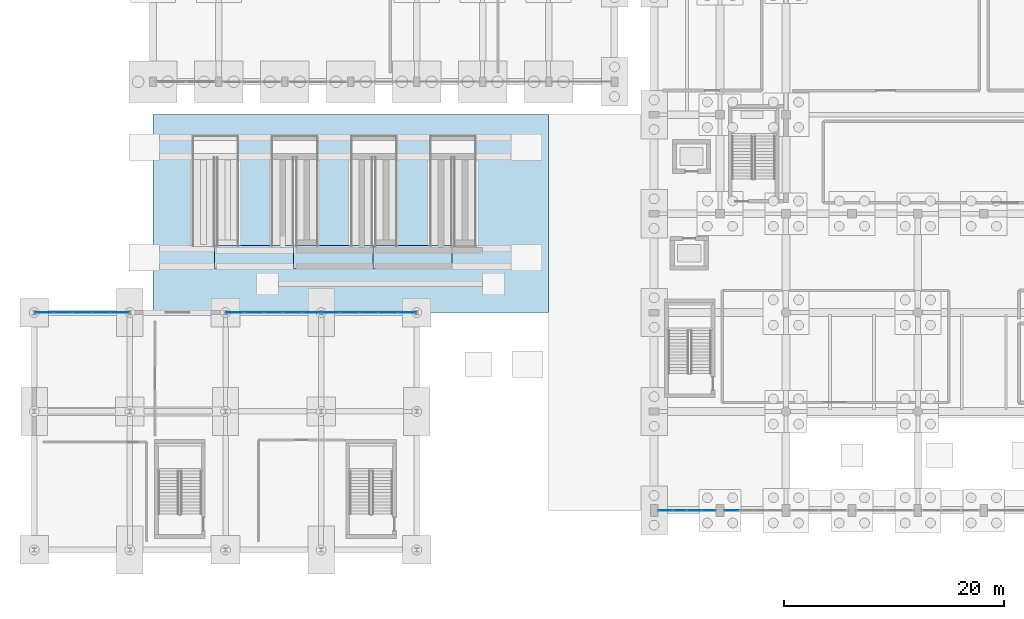
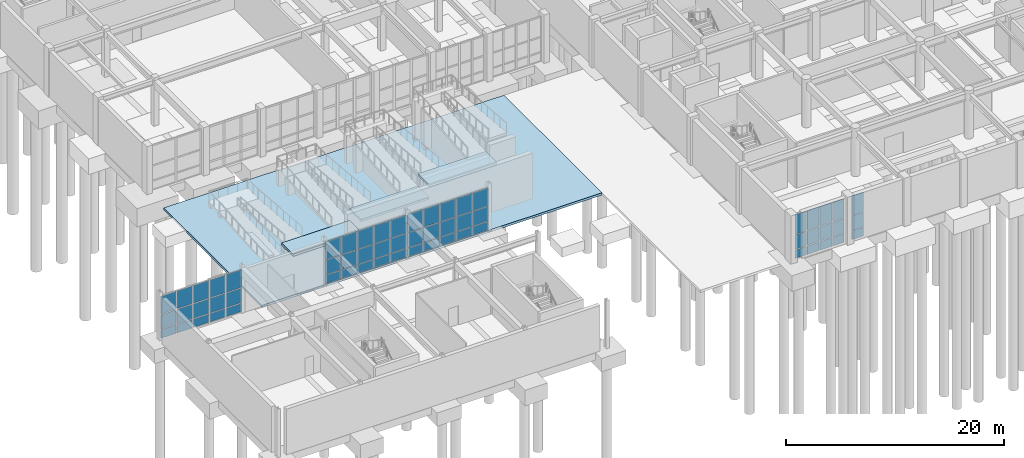
# One storey, part 42 of 69: 60 plates, 4 slabs, 8 elements without a shape of their own.
"""IFC4 building model written with IfcOpenShell, lengths in metres."""

from ifc_helpers import new_model, si_unit, direction, frame, origin, origin_2d, place, context, subcontext, project, spatial, polyline, rectangle, outline, extrude, material, layer, layer_set, type_object, element, aggregate, save


model = new_model("IFC4")

# Units and contexts
model_context = context("Model", 3, precision=1e-05, world=origin(), true_north=direction((0.0, 1.0)))
body_context = subcontext(model_context, "Body", "Model", "MODEL_VIEW")
ifc_project = project(units=[si_unit("LENGTHUNIT", "METRE"), si_unit("AREAUNIT", "SQUARE_METRE"), si_unit("VOLUMEUNIT", "CUBIC_METRE"), si_unit("PLANEANGLEUNIT", "RADIAN"), si_unit("MASSUNIT", "GRAM", prefix="KILO")], contexts=[model_context])

# Site, building, storey
site_placement = place(None, origin())
site = spatial("IfcSite", under=ifc_project, at=site_placement, CompositionType="ELEMENT")
building_placement = place(site_placement, origin())
building = spatial("IfcBuilding", under=site, at=building_placement, Name="Vaelkrest Opera House", CompositionType="ELEMENT")
storey_placement = place(building_placement, frame((0.0, 0.0, -5.39990234375)))
storey = spatial("IfcBuildingStorey", under=building, at=storey_placement, Name="B1", CompositionType="ELEMENT", Elevation=-5.39990234375)

# Curtain wall, plates
ifc_material_1 = material(Name="Dark bronze anodized aluminium", Category="aluminium")
ifc_layer_1 = layer(ifc_material_1, 0.179931640625)
ifc_layer_set_1 = layer_set([ifc_layer_1], Name="Dark bronze anodized aluminium")
curtain_wall_type_1 = type_object("IfcCurtainWallType", Name="CW01", PredefinedType="NOTDEFINED", material=ifc_layer_set_1)
curtain_wall_1_placement = place(storey_placement, origin())
curtain_wall_1 = element("IfcCurtainWall", 1, at=curtain_wall_1_placement, inside=storey, type_object=curtain_wall_type_1, Name="Curtain wall CW-B1-009", PredefinedType="NOTDEFINED")
ifc_material_2 = material(Name="Double low-E insulated glazing", Category="glass")
ifc_layer_2 = layer(ifc_material_2, 0.02587890625)
ifc_layer_set_2 = layer_set([ifc_layer_2], Name="Double low-E insulated glazing")
plate_type_1 = type_object("IfcPlateType", Name="CWP01", PredefinedType="CURTAIN_PANEL", material=ifc_layer_set_2)
plate_1_placement = place(storey_placement, frame((-22.97265625, -55.800048828125, 0.06494140625), z_axis=(0.0, 0.0, 1.0), x_axis=(-1.0, 0.0, 0.0)))
plate_1 = element("IfcPlate", 2, at=plate_1_placement, type_object=plate_type_1, Name="CW01 panel 4.1", PredefinedType="CURTAIN_PANEL", context=body_context, shape_type="SweptSolid", body=[
    extrude(rectangle(XDim=1.228515625, YDim=0.02587890625, at=origin_2d()), origin(), (0.0, 0.0, 1.0), 0.952392578125),
])
plate_2_placement = place(storey_placement, frame((-22.97265625, -55.800048828125, 1.08251953125), z_axis=(0.0, 0.0, 1.0), x_axis=(-1.0, 0.0, 0.0)))
plate_2 = element("IfcPlate", 3, at=plate_2_placement, type_object=plate_type_1, Name="CW01 panel 4.2", PredefinedType="CURTAIN_PANEL", context=body_context, shape_type="SweptSolid", body=[
    extrude(rectangle(XDim=1.228515625, YDim=0.02587890625, at=origin_2d()), origin(), (0.0, 0.0, 1.0), 1.635009765625),
])
plate_3_placement = place(storey_placement, frame((-22.97265625, -55.800048828125, 2.7822265625), z_axis=(0.0, 0.0, 1.0), x_axis=(-1.0, 0.0, 0.0)))
plate_3 = element("IfcPlate", 4, at=plate_3_placement, type_object=plate_type_1, Name="CW01 panel 4.3", PredefinedType="CURTAIN_PANEL", context=body_context, shape_type="SweptSolid", body=[
    extrude(rectangle(XDim=1.228515625, YDim=0.02587890625, at=origin_2d()), origin(), (0.0, 0.0, 1.0), 2.202392578125),
])
aggregate(curtain_wall_1, [plate_1, plate_2, plate_3])

ifc_layer_3 = layer(ifc_material_1, 0.18994140625)
ifc_layer_set_3 = layer_set([ifc_layer_3], Name="Dark bronze anodized aluminium")
curtain_wall_type_2 = type_object("IfcCurtainWallType", Name="CW02", PredefinedType="NOTDEFINED", material=ifc_layer_set_3)
curtain_wall_2_placement = place(storey_placement, origin())
curtain_wall_2 = element("IfcCurtainWall", 5, at=curtain_wall_2_placement, inside=storey, type_object=curtain_wall_type_2, Name="Curtain wall CW-B1-010", PredefinedType="NOTDEFINED")
ifc_layer_4 = layer(ifc_material_2, 0.030029296875)
ifc_layer_set_4 = layer_set([ifc_layer_4], Name="Double low-E insulated glazing")
plate_type_2 = type_object("IfcPlateType", Name="CWP02", PredefinedType="CURTAIN_PANEL", material=ifc_layer_set_4)
plate_4_placement = place(storey_placement, frame((-25.028564453125, -55.800048828125, 0.06982421875), z_axis=(0.0, 0.0, 1.0), x_axis=(-1.0, 0.0, 0.0)))
plate_4 = element("IfcPlate", 6, at=plate_4_placement, type_object=plate_type_2, Name="CW02 panel 1.1", PredefinedType="CURTAIN_PANEL", context=body_context, shape_type="SweptSolid", body=[
    extrude(rectangle(XDim=1.220947265625, YDim=0.030029296875, at=origin_2d()), origin(), (0.0, 0.0, 1.0), 0.945068359375),
])
plate_5_placement = place(storey_placement, frame((-25.028564453125, -55.800048828125, 1.0849609375), z_axis=(0.0, 0.0, 1.0), x_axis=(-1.0, 0.0, 0.0)))
plate_5 = element("IfcPlate", 7, at=plate_5_placement, type_object=plate_type_2, Name="CW02 panel 1.2", PredefinedType="CURTAIN_PANEL", context=body_context, shape_type="SweptSolid", body=[
    extrude(rectangle(XDim=1.220947265625, YDim=0.030029296875, at=origin_2d()), origin(), (0.0, 0.0, 1.0), 1.6298828125),
])
plate_6_placement = place(storey_placement, frame((-25.028564453125, -55.800048828125, 2.78466796875), z_axis=(0.0, 0.0, 1.0), x_axis=(-1.0, 0.0, 0.0)))
plate_6 = element("IfcPlate", 8, at=plate_6_placement, type_object=plate_type_2, Name="CW02 panel 1.3", PredefinedType="CURTAIN_PANEL", context=body_context, shape_type="SweptSolid", body=[
    extrude(rectangle(XDim=1.220947265625, YDim=0.030029296875, at=origin_2d()), origin(), (0.0, 0.0, 1.0), 2.195068359375),
])
plate_7_placement = place(storey_placement, frame((-26.3369140625, -55.800048828125, 0.06982421875), z_axis=(0.0, 0.0, 1.0), x_axis=(-1.0, 0.0, 0.0)))
plate_7 = element("IfcPlate", 9, at=plate_7_placement, type_object=plate_type_2, Name="CW02 panel 2.1", PredefinedType="CURTAIN_PANEL", context=body_context, shape_type="SweptSolid", body=[
    extrude(rectangle(XDim=1.256103515625, YDim=0.030029296875, at=origin_2d()), origin(), (0.0, 0.0, 1.0), 0.945068359375),
])
plate_8_placement = place(storey_placement, frame((-26.3369140625, -55.800048828125, 1.0849609375), z_axis=(0.0, 0.0, 1.0), x_axis=(-1.0, 0.0, 0.0)))
plate_8 = element("IfcPlate", 10, at=plate_8_placement, type_object=plate_type_2, Name="CW02 panel 2.2", PredefinedType="CURTAIN_PANEL", context=body_context, shape_type="SweptSolid", body=[
    extrude(rectangle(XDim=1.256103515625, YDim=0.030029296875, at=origin_2d()), origin(), (0.0, 0.0, 1.0), 1.6298828125),
])
plate_9_placement = place(storey_placement, frame((-26.3369140625, -55.800048828125, 2.78466796875), z_axis=(0.0, 0.0, 1.0), x_axis=(-1.0, 0.0, 0.0)))
plate_9 = element("IfcPlate", 11, at=plate_9_placement, type_object=plate_type_2, Name="CW02 panel 2.3", PredefinedType="CURTAIN_PANEL", context=body_context, shape_type="SweptSolid", body=[
    extrude(rectangle(XDim=1.256103515625, YDim=0.030029296875, at=origin_2d()), origin(), (0.0, 0.0, 1.0), 2.195068359375),
])
plate_10_placement = place(storey_placement, frame((-27.6630859375, -55.800048828125, 0.06982421875), z_axis=(0.0, 0.0, 1.0), x_axis=(-1.0, 0.0, 0.0)))
plate_10 = element("IfcPlate", 12, at=plate_10_placement, type_object=plate_type_2, Name="CW02 panel 3.1", PredefinedType="CURTAIN_PANEL", context=body_context, shape_type="SweptSolid", body=[
    extrude(rectangle(XDim=1.256103515625, YDim=0.030029296875, at=origin_2d()), origin(), (0.0, 0.0, 1.0), 0.945068359375),
])
plate_11_placement = place(storey_placement, frame((-27.6630859375, -55.800048828125, 1.0849609375), z_axis=(0.0, 0.0, 1.0), x_axis=(-1.0, 0.0, 0.0)))
plate_11 = element("IfcPlate", 13, at=plate_11_placement, type_object=plate_type_2, Name="CW02 panel 3.2", PredefinedType="CURTAIN_PANEL", context=body_context, shape_type="SweptSolid", body=[
    extrude(rectangle(XDim=1.256103515625, YDim=0.030029296875, at=origin_2d()), origin(), (0.0, 0.0, 1.0), 1.6298828125),
])
plate_12_placement = place(storey_placement, frame((-27.6630859375, -55.800048828125, 2.78466796875), z_axis=(0.0, 0.0, 1.0), x_axis=(-1.0, 0.0, 0.0)))
plate_12 = element("IfcPlate", 14, at=plate_12_placement, type_object=plate_type_2, Name="CW02 panel 3.3", PredefinedType="CURTAIN_PANEL", context=body_context, shape_type="SweptSolid", body=[
    extrude(rectangle(XDim=1.256103515625, YDim=0.030029296875, at=origin_2d()), origin(), (0.0, 0.0, 1.0), 2.195068359375),
])
plate_13_placement = place(storey_placement, frame((-28.971435546875, -55.800048828125, 0.06982421875), z_axis=(0.0, 0.0, 1.0), x_axis=(-1.0, 0.0, 0.0)))
plate_13 = element("IfcPlate", 15, at=plate_13_placement, type_object=plate_type_2, Name="CW02 panel 4.1", PredefinedType="CURTAIN_PANEL", context=body_context, shape_type="SweptSolid", body=[
    extrude(rectangle(XDim=1.220947265625, YDim=0.030029296875, at=origin_2d()), origin(), (0.0, 0.0, 1.0), 0.945068359375),
])
plate_14_placement = place(storey_placement, frame((-28.971435546875, -55.800048828125, 1.0849609375), z_axis=(0.0, 0.0, 1.0), x_axis=(-1.0, 0.0, 0.0)))
plate_14 = element("IfcPlate", 16, at=plate_14_placement, type_object=plate_type_2, Name="CW02 panel 4.2", PredefinedType="CURTAIN_PANEL", context=body_context, shape_type="SweptSolid", body=[
    extrude(rectangle(XDim=1.220947265625, YDim=0.030029296875, at=origin_2d()), origin(), (0.0, 0.0, 1.0), 1.6298828125),
])
plate_15_placement = place(storey_placement, frame((-28.971435546875, -55.800048828125, 2.78466796875), z_axis=(0.0, 0.0, 1.0), x_axis=(-1.0, 0.0, 0.0)))
plate_15 = element("IfcPlate", 17, at=plate_15_placement, type_object=plate_type_2, Name="CW02 panel 4.3", PredefinedType="CURTAIN_PANEL", context=body_context, shape_type="SweptSolid", body=[
    extrude(rectangle(XDim=1.220947265625, YDim=0.030029296875, at=origin_2d()), origin(), (0.0, 0.0, 1.0), 2.195068359375),
])
aggregate(curtain_wall_2, [plate_4, plate_5, plate_6, plate_7, plate_8, plate_9, plate_10, plate_11, plate_12, plate_13, plate_14, plate_15])

ifc_layer_5 = layer(ifc_material_1, 0.199951171875)
ifc_layer_set_5 = layer_set([ifc_layer_5], Name="Dark bronze anodized aluminium")
curtain_wall_type_3 = type_object("IfcCurtainWallType", Name="CW03", PredefinedType="NOTDEFINED", material=ifc_layer_set_5)
curtain_wall_3_placement = place(storey_placement, origin())
curtain_wall_3 = element("IfcCurtainWall", 18, at=curtain_wall_3_placement, inside=storey, type_object=curtain_wall_type_3, Name="Curtain wall CW-B1-173", PredefinedType="NOTDEFINED")
ifc_layer_6 = layer(ifc_material_2, 0.033935546875)
ifc_layer_set_6 = layer_set([ifc_layer_6], Name="Double low-E insulated glazing")
plate_type_3 = type_object("IfcPlateType", Name="CWP03", PredefinedType="CURTAIN_PANEL", material=ifc_layer_set_6)
plate_16_placement = place(storey_placement, frame((-85.503173828125, -37.800048828125, 0.074951171875), z_axis=(0.0, 0.0, 1.0), x_axis=(1.0, 0.0, 0.0)))
plate_16 = element("IfcPlate", 19, at=plate_16_placement, type_object=plate_type_3, Name="CW03 panel 1.1", PredefinedType="CURTAIN_PANEL", context=body_context, shape_type="SweptSolid", body=[
    extrude(rectangle(XDim=1.62353515625, YDim=0.033935546875, at=origin_2d()), origin(), (0.0, 0.0, 1.0), 0.9375),
])
plate_17_placement = place(storey_placement, frame((-85.503173828125, -37.800048828125, 1.08740234375), z_axis=(0.0, 0.0, 1.0), x_axis=(1.0, 0.0, 0.0)))
plate_17 = element("IfcPlate", 20, at=plate_17_placement, type_object=plate_type_3, Name="CW03 panel 1.2", PredefinedType="CURTAIN_PANEL", context=body_context, shape_type="SweptSolid", body=[
    extrude(rectangle(XDim=1.62353515625, YDim=0.033935546875, at=origin_2d()), origin(), (0.0, 0.0, 1.0), 1.625),
])
plate_18_placement = place(storey_placement, frame((-85.503173828125, -37.800048828125, 2.78759765625), z_axis=(0.0, 0.0, 1.0), x_axis=(1.0, 0.0, 0.0)))
plate_18 = element("IfcPlate", 21, at=plate_18_placement, type_object=plate_type_3, Name="CW03 panel 1.3", PredefinedType="CURTAIN_PANEL", context=body_context, shape_type="SweptSolid", body=[
    extrude(rectangle(XDim=1.62353515625, YDim=0.033935546875, at=origin_2d()), origin(), (0.0, 0.0, 1.0), 1.987548828125),
])
plate_19_placement = place(storey_placement, frame((-83.785888671875, -37.800048828125, 0.074951171875), z_axis=(0.0, 0.0, 1.0), x_axis=(1.0, 0.0, 0.0)))
plate_19 = element("IfcPlate", 22, at=plate_19_placement, type_object=plate_type_3, Name="CW03 panel 2.1", PredefinedType="CURTAIN_PANEL", context=body_context, shape_type="SweptSolid", body=[
    extrude(rectangle(XDim=1.660888671875, YDim=0.033935546875, at=origin_2d()), origin(), (0.0, 0.0, 1.0), 0.9375),
])
plate_20_placement = place(storey_placement, frame((-83.785888671875, -37.800048828125, 1.08740234375), z_axis=(0.0, 0.0, 1.0), x_axis=(1.0, 0.0, 0.0)))
plate_20 = element("IfcPlate", 23, at=plate_20_placement, type_object=plate_type_3, Name="CW03 panel 2.2", PredefinedType="CURTAIN_PANEL", context=body_context, shape_type="SweptSolid", body=[
    extrude(rectangle(XDim=1.660888671875, YDim=0.033935546875, at=origin_2d()), origin(), (0.0, 0.0, 1.0), 1.625),
])
plate_21_placement = place(storey_placement, frame((-83.785888671875, -37.800048828125, 2.78759765625), z_axis=(0.0, 0.0, 1.0), x_axis=(1.0, 0.0, 0.0)))
plate_21 = element("IfcPlate", 24, at=plate_21_placement, type_object=plate_type_3, Name="CW03 panel 2.3", PredefinedType="CURTAIN_PANEL", context=body_context, shape_type="SweptSolid", body=[
    extrude(rectangle(XDim=1.660888671875, YDim=0.033935546875, at=origin_2d()), origin(), (0.0, 0.0, 1.0), 1.987548828125),
])
plate_22_placement = place(storey_placement, frame((-82.050048828125, -37.800048828125, 0.074951171875), z_axis=(0.0, 0.0, 1.0), x_axis=(1.0, 0.0, 0.0)))
plate_22 = element("IfcPlate", 25, at=plate_22_placement, type_object=plate_type_3, Name="CW03 panel 3.1", PredefinedType="CURTAIN_PANEL", context=body_context, shape_type="SweptSolid", body=[
    extrude(rectangle(XDim=1.660888671875, YDim=0.033935546875, at=origin_2d()), origin(), (0.0, 0.0, 1.0), 0.9375),
])
plate_23_placement = place(storey_placement, frame((-82.050048828125, -37.800048828125, 1.08740234375), z_axis=(0.0, 0.0, 1.0), x_axis=(1.0, 0.0, 0.0)))
plate_23 = element("IfcPlate", 26, at=plate_23_placement, type_object=plate_type_3, Name="CW03 panel 3.2", PredefinedType="CURTAIN_PANEL", context=body_context, shape_type="SweptSolid", body=[
    extrude(rectangle(XDim=1.660888671875, YDim=0.033935546875, at=origin_2d()), origin(), (0.0, 0.0, 1.0), 1.625),
])
plate_24_placement = place(storey_placement, frame((-82.050048828125, -37.800048828125, 2.78759765625), z_axis=(0.0, 0.0, 1.0), x_axis=(1.0, 0.0, 0.0)))
plate_24 = element("IfcPlate", 27, at=plate_24_placement, type_object=plate_type_3, Name="CW03 panel 3.3", PredefinedType="CURTAIN_PANEL", context=body_context, shape_type="SweptSolid", body=[
    extrude(rectangle(XDim=1.660888671875, YDim=0.033935546875, at=origin_2d()), origin(), (0.0, 0.0, 1.0), 1.987548828125),
])
plate_25_placement = place(storey_placement, frame((-80.31396484375, -37.800048828125, 0.074951171875), z_axis=(0.0, 0.0, 1.0), x_axis=(1.0, 0.0, 0.0)))
plate_25 = element("IfcPlate", 28, at=plate_25_placement, type_object=plate_type_3, Name="CW03 panel 4.1", PredefinedType="CURTAIN_PANEL", context=body_context, shape_type="SweptSolid", body=[
    extrude(rectangle(XDim=1.660888671875, YDim=0.033935546875, at=origin_2d()), origin(), (0.0, 0.0, 1.0), 0.9375),
])
plate_26_placement = place(storey_placement, frame((-80.31396484375, -37.800048828125, 1.08740234375), z_axis=(0.0, 0.0, 1.0), x_axis=(1.0, 0.0, 0.0)))
plate_26 = element("IfcPlate", 29, at=plate_26_placement, type_object=plate_type_3, Name="CW03 panel 4.2", PredefinedType="CURTAIN_PANEL", context=body_context, shape_type="SweptSolid", body=[
    extrude(rectangle(XDim=1.660888671875, YDim=0.033935546875, at=origin_2d()), origin(), (0.0, 0.0, 1.0), 1.625),
])
plate_27_placement = place(storey_placement, frame((-80.31396484375, -37.800048828125, 2.78759765625), z_axis=(0.0, 0.0, 1.0), x_axis=(1.0, 0.0, 0.0)))
plate_27 = element("IfcPlate", 30, at=plate_27_placement, type_object=plate_type_3, Name="CW03 panel 4.3", PredefinedType="CURTAIN_PANEL", context=body_context, shape_type="SweptSolid", body=[
    extrude(rectangle(XDim=1.660888671875, YDim=0.033935546875, at=origin_2d()), origin(), (0.0, 0.0, 1.0), 1.987548828125),
])
plate_28_placement = place(storey_placement, frame((-78.5966796875, -37.800048828125, 0.074951171875), z_axis=(0.0, 0.0, 1.0), x_axis=(1.0, 0.0, 0.0)))
plate_28 = element("IfcPlate", 31, at=plate_28_placement, type_object=plate_type_3, Name="CW03 panel 5.1", PredefinedType="CURTAIN_PANEL", context=body_context, shape_type="SweptSolid", body=[
    extrude(rectangle(XDim=1.62353515625, YDim=0.033935546875, at=origin_2d()), origin(), (0.0, 0.0, 1.0), 0.9375),
])
plate_29_placement = place(storey_placement, frame((-78.5966796875, -37.800048828125, 1.08740234375), z_axis=(0.0, 0.0, 1.0), x_axis=(1.0, 0.0, 0.0)))
plate_29 = element("IfcPlate", 32, at=plate_29_placement, type_object=plate_type_3, Name="CW03 panel 5.2", PredefinedType="CURTAIN_PANEL", context=body_context, shape_type="SweptSolid", body=[
    extrude(rectangle(XDim=1.62353515625, YDim=0.033935546875, at=origin_2d()), origin(), (0.0, 0.0, 1.0), 1.625),
])
plate_30_placement = place(storey_placement, frame((-78.5966796875, -37.800048828125, 2.78759765625), z_axis=(0.0, 0.0, 1.0), x_axis=(1.0, 0.0, 0.0)))
plate_30 = element("IfcPlate", 33, at=plate_30_placement, type_object=plate_type_3, Name="CW03 panel 5.3", PredefinedType="CURTAIN_PANEL", context=body_context, shape_type="SweptSolid", body=[
    extrude(rectangle(XDim=1.62353515625, YDim=0.033935546875, at=origin_2d()), origin(), (0.0, 0.0, 1.0), 1.987548828125),
])
aggregate(curtain_wall_3, [plate_16, plate_17, plate_18, plate_19, plate_20, plate_21, plate_22, plate_23, plate_24, plate_25, plate_26, plate_27, plate_28, plate_29, plate_30])

ifc_layer_7 = layer(ifc_material_1, 0.2099609375)
ifc_layer_set_7 = layer_set([ifc_layer_7], Name="Dark bronze anodized aluminium")
curtain_wall_type_4 = type_object("IfcCurtainWallType", Name="CW04", PredefinedType="NOTDEFINED", material=ifc_layer_set_7)
curtain_wall_4_placement = place(storey_placement, origin())
curtain_wall_4 = element("IfcCurtainWall", 34, at=curtain_wall_4_placement, inside=storey, type_object=curtain_wall_type_4, Name="Curtain wall CW-B1-174", PredefinedType="NOTDEFINED")
ifc_layer_8 = layer(ifc_material_2, 0.0380859375)
ifc_layer_set_8 = layer_set([ifc_layer_8], Name="Double low-E insulated glazing")
plate_type_4 = type_object("IfcPlateType", Name="CWP04", PredefinedType="CURTAIN_PANEL", material=ifc_layer_set_8)
plate_31_placement = place(storey_placement, frame((-68.10205078125, -37.800048828125, 0.080078125), z_axis=(0.0, 0.0, 1.0), x_axis=(1.0, 0.0, 0.0)))
plate_31 = element("IfcPlate", 35, at=plate_31_placement, type_object=plate_type_4, Name="CW04 panel 1.1", PredefinedType="CURTAIN_PANEL", context=body_context, shape_type="SweptSolid", body=[
    extrude(rectangle(XDim=1.615966796875, YDim=0.0380859375, at=origin_2d()), origin(), (0.0, 0.0, 1.0), 0.929931640625),
])
plate_32_placement = place(storey_placement, frame((-68.10205078125, -37.800048828125, 1.08984375), z_axis=(0.0, 0.0, 1.0), x_axis=(1.0, 0.0, 0.0)))
plate_32 = element("IfcPlate", 36, at=plate_32_placement, type_object=plate_type_4, Name="CW04 panel 1.2", PredefinedType="CURTAIN_PANEL", context=body_context, shape_type="SweptSolid", body=[
    extrude(rectangle(XDim=1.615966796875, YDim=0.0380859375, at=origin_2d()), origin(), (0.0, 0.0, 1.0), 1.6201171875),
])
plate_33_placement = place(storey_placement, frame((-68.10205078125, -37.800048828125, 2.789794921875), z_axis=(0.0, 0.0, 1.0), x_axis=(1.0, 0.0, 0.0)))
plate_33 = element("IfcPlate", 37, at=plate_33_placement, type_object=plate_type_4, Name="CW04 panel 1.3", PredefinedType="CURTAIN_PANEL", context=body_context, shape_type="SweptSolid", body=[
    extrude(rectangle(XDim=1.615966796875, YDim=0.0380859375, at=origin_2d()), origin(), (0.0, 0.0, 1.0), 1.97998046875),
])
plate_34_placement = place(storey_placement, frame((-66.385986328125, -37.800048828125, 0.080078125), z_axis=(0.0, 0.0, 1.0), x_axis=(1.0, 0.0, 0.0)))
plate_34 = element("IfcPlate", 38, at=plate_34_placement, type_object=plate_type_4, Name="CW04 panel 2.1", PredefinedType="CURTAIN_PANEL", context=body_context, shape_type="SweptSolid", body=[
    extrude(rectangle(XDim=1.656005859375, YDim=0.0380859375, at=origin_2d()), origin(), (0.0, 0.0, 1.0), 0.929931640625),
])
plate_35_placement = place(storey_placement, frame((-66.385986328125, -37.800048828125, 1.08984375), z_axis=(0.0, 0.0, 1.0), x_axis=(1.0, 0.0, 0.0)))
plate_35 = element("IfcPlate", 39, at=plate_35_placement, type_object=plate_type_4, Name="CW04 panel 2.2", PredefinedType="CURTAIN_PANEL", context=body_context, shape_type="SweptSolid", body=[
    extrude(rectangle(XDim=1.656005859375, YDim=0.0380859375, at=origin_2d()), origin(), (0.0, 0.0, 1.0), 1.6201171875),
])
plate_36_placement = place(storey_placement, frame((-66.385986328125, -37.800048828125, 2.789794921875), z_axis=(0.0, 0.0, 1.0), x_axis=(1.0, 0.0, 0.0)))
plate_36 = element("IfcPlate", 40, at=plate_36_placement, type_object=plate_type_4, Name="CW04 panel 2.3", PredefinedType="CURTAIN_PANEL", context=body_context, shape_type="SweptSolid", body=[
    extrude(rectangle(XDim=1.656005859375, YDim=0.0380859375, at=origin_2d()), origin(), (0.0, 0.0, 1.0), 1.97998046875),
])
plate_37_placement = place(storey_placement, frame((-64.64990234375, -37.800048828125, 0.080078125), z_axis=(0.0, 0.0, 1.0), x_axis=(1.0, 0.0, 0.0)))
plate_37 = element("IfcPlate", 41, at=plate_37_placement, type_object=plate_type_4, Name="CW04 panel 3.1", PredefinedType="CURTAIN_PANEL", context=body_context, shape_type="SweptSolid", body=[
    extrude(rectangle(XDim=1.656005859375, YDim=0.0380859375, at=origin_2d()), origin(), (0.0, 0.0, 1.0), 0.929931640625),
])
plate_38_placement = place(storey_placement, frame((-64.64990234375, -37.800048828125, 1.08984375), z_axis=(0.0, 0.0, 1.0), x_axis=(1.0, 0.0, 0.0)))
plate_38 = element("IfcPlate", 42, at=plate_38_placement, type_object=plate_type_4, Name="CW04 panel 3.2", PredefinedType="CURTAIN_PANEL", context=body_context, shape_type="SweptSolid", body=[
    extrude(rectangle(XDim=1.656005859375, YDim=0.0380859375, at=origin_2d()), origin(), (0.0, 0.0, 1.0), 1.6201171875),
])
plate_39_placement = place(storey_placement, frame((-64.64990234375, -37.800048828125, 2.789794921875), z_axis=(0.0, 0.0, 1.0), x_axis=(1.0, 0.0, 0.0)))
plate_39 = element("IfcPlate", 43, at=plate_39_placement, type_object=plate_type_4, Name="CW04 panel 3.3", PredefinedType="CURTAIN_PANEL", context=body_context, shape_type="SweptSolid", body=[
    extrude(rectangle(XDim=1.656005859375, YDim=0.0380859375, at=origin_2d()), origin(), (0.0, 0.0, 1.0), 1.97998046875),
])
plate_40_placement = place(storey_placement, frame((-62.9140625, -37.800048828125, 0.080078125), z_axis=(0.0, 0.0, 1.0), x_axis=(1.0, 0.0, 0.0)))
plate_40 = element("IfcPlate", 44, at=plate_40_placement, type_object=plate_type_4, Name="CW04 panel 4.1", PredefinedType="CURTAIN_PANEL", context=body_context, shape_type="SweptSolid", body=[
    extrude(rectangle(XDim=1.656005859375, YDim=0.0380859375, at=origin_2d()), origin(), (0.0, 0.0, 1.0), 0.929931640625),
])
plate_41_placement = place(storey_placement, frame((-62.9140625, -37.800048828125, 1.08984375), z_axis=(0.0, 0.0, 1.0), x_axis=(1.0, 0.0, 0.0)))
plate_41 = element("IfcPlate", 45, at=plate_41_placement, type_object=plate_type_4, Name="CW04 panel 4.2", PredefinedType="CURTAIN_PANEL", context=body_context, shape_type="SweptSolid", body=[
    extrude(rectangle(XDim=1.656005859375, YDim=0.0380859375, at=origin_2d()), origin(), (0.0, 0.0, 1.0), 1.6201171875),
])
plate_42_placement = place(storey_placement, frame((-62.9140625, -37.800048828125, 2.789794921875), z_axis=(0.0, 0.0, 1.0), x_axis=(1.0, 0.0, 0.0)))
plate_42 = element("IfcPlate", 46, at=plate_42_placement, type_object=plate_type_4, Name="CW04 panel 4.3", PredefinedType="CURTAIN_PANEL", context=body_context, shape_type="SweptSolid", body=[
    extrude(rectangle(XDim=1.656005859375, YDim=0.0380859375, at=origin_2d()), origin(), (0.0, 0.0, 1.0), 1.97998046875),
])
plate_43_placement = place(storey_placement, frame((-61.197998046875, -37.800048828125, 0.080078125), z_axis=(0.0, 0.0, 1.0), x_axis=(1.0, 0.0, 0.0)))
plate_43 = element("IfcPlate", 47, at=plate_43_placement, type_object=plate_type_4, Name="CW04 panel 5.1", PredefinedType="CURTAIN_PANEL", context=body_context, shape_type="SweptSolid", body=[
    extrude(rectangle(XDim=1.615966796875, YDim=0.0380859375, at=origin_2d()), origin(), (0.0, 0.0, 1.0), 0.929931640625),
])
plate_44_placement = place(storey_placement, frame((-61.197998046875, -37.800048828125, 1.08984375), z_axis=(0.0, 0.0, 1.0), x_axis=(1.0, 0.0, 0.0)))
plate_44 = element("IfcPlate", 48, at=plate_44_placement, type_object=plate_type_4, Name="CW04 panel 5.2", PredefinedType="CURTAIN_PANEL", context=body_context, shape_type="SweptSolid", body=[
    extrude(rectangle(XDim=1.615966796875, YDim=0.0380859375, at=origin_2d()), origin(), (0.0, 0.0, 1.0), 1.6201171875),
])
plate_45_placement = place(storey_placement, frame((-61.197998046875, -37.800048828125, 2.789794921875), z_axis=(0.0, 0.0, 1.0), x_axis=(1.0, 0.0, 0.0)))
plate_45 = element("IfcPlate", 49, at=plate_45_placement, type_object=plate_type_4, Name="CW04 panel 5.3", PredefinedType="CURTAIN_PANEL", context=body_context, shape_type="SweptSolid", body=[
    extrude(rectangle(XDim=1.615966796875, YDim=0.0380859375, at=origin_2d()), origin(), (0.0, 0.0, 1.0), 1.97998046875),
])
aggregate(curtain_wall_4, [plate_31, plate_32, plate_33, plate_34, plate_35, plate_36, plate_37, plate_38, plate_39, plate_40, plate_41, plate_42, plate_43, plate_44, plate_45])

curtain_wall_5_placement = place(storey_placement, origin())
curtain_wall_5 = element("IfcCurtainWall", 50, at=curtain_wall_5_placement, inside=storey, type_object=curtain_wall_type_4, Name="Curtain wall CW-B1-175", PredefinedType="NOTDEFINED")
plate_46_placement = place(storey_placement, frame((-59.402099609375, -37.800048828125, 0.080078125), z_axis=(0.0, 0.0, 1.0), x_axis=(1.0, 0.0, 0.0)))
plate_46 = element("IfcPlate", 51, at=plate_46_placement, type_object=plate_type_4, Name="CW04 panel 1.1", PredefinedType="CURTAIN_PANEL", context=body_context, shape_type="SweptSolid", body=[
    extrude(rectangle(XDim=1.615966796875, YDim=0.0380859375, at=origin_2d()), origin(), (0.0, 0.0, 1.0), 0.929931640625),
])
plate_47_placement = place(storey_placement, frame((-59.402099609375, -37.800048828125, 1.08984375), z_axis=(0.0, 0.0, 1.0), x_axis=(1.0, 0.0, 0.0)))
plate_47 = element("IfcPlate", 52, at=plate_47_placement, type_object=plate_type_4, Name="CW04 panel 1.2", PredefinedType="CURTAIN_PANEL", context=body_context, shape_type="SweptSolid", body=[
    extrude(rectangle(XDim=1.615966796875, YDim=0.0380859375, at=origin_2d()), origin(), (0.0, 0.0, 1.0), 1.6201171875),
])
plate_48_placement = place(storey_placement, frame((-59.402099609375, -37.800048828125, 2.789794921875), z_axis=(0.0, 0.0, 1.0), x_axis=(1.0, 0.0, 0.0)))
plate_48 = element("IfcPlate", 53, at=plate_48_placement, type_object=plate_type_4, Name="CW04 panel 1.3", PredefinedType="CURTAIN_PANEL", context=body_context, shape_type="SweptSolid", body=[
    extrude(rectangle(XDim=1.615966796875, YDim=0.0380859375, at=origin_2d()), origin(), (0.0, 0.0, 1.0), 1.97998046875),
])
plate_49_placement = place(storey_placement, frame((-57.68603515625, -37.800048828125, 0.080078125), z_axis=(0.0, 0.0, 1.0), x_axis=(1.0, 0.0, 0.0)))
plate_49 = element("IfcPlate", 54, at=plate_49_placement, type_object=plate_type_4, Name="CW04 panel 2.1", PredefinedType="CURTAIN_PANEL", context=body_context, shape_type="SweptSolid", body=[
    extrude(rectangle(XDim=1.656005859375, YDim=0.0380859375, at=origin_2d()), origin(), (0.0, 0.0, 1.0), 0.929931640625),
])
plate_50_placement = place(storey_placement, frame((-57.68603515625, -37.800048828125, 1.08984375), z_axis=(0.0, 0.0, 1.0), x_axis=(1.0, 0.0, 0.0)))
plate_50 = element("IfcPlate", 55, at=plate_50_placement, type_object=plate_type_4, Name="CW04 panel 2.2", PredefinedType="CURTAIN_PANEL", context=body_context, shape_type="SweptSolid", body=[
    extrude(rectangle(XDim=1.656005859375, YDim=0.0380859375, at=origin_2d()), origin(), (0.0, 0.0, 1.0), 1.6201171875),
])
plate_51_placement = place(storey_placement, frame((-57.68603515625, -37.800048828125, 2.789794921875), z_axis=(0.0, 0.0, 1.0), x_axis=(1.0, 0.0, 0.0)))
plate_51 = element("IfcPlate", 56, at=plate_51_placement, type_object=plate_type_4, Name="CW04 panel 2.3", PredefinedType="CURTAIN_PANEL", context=body_context, shape_type="SweptSolid", body=[
    extrude(rectangle(XDim=1.656005859375, YDim=0.0380859375, at=origin_2d()), origin(), (0.0, 0.0, 1.0), 1.97998046875),
])
plate_52_placement = place(storey_placement, frame((-55.949951171875, -37.800048828125, 0.080078125), z_axis=(0.0, 0.0, 1.0), x_axis=(1.0, 0.0, 0.0)))
plate_52 = element("IfcPlate", 57, at=plate_52_placement, type_object=plate_type_4, Name="CW04 panel 3.1", PredefinedType="CURTAIN_PANEL", context=body_context, shape_type="SweptSolid", body=[
    extrude(rectangle(XDim=1.656005859375, YDim=0.0380859375, at=origin_2d()), origin(), (0.0, 0.0, 1.0), 0.929931640625),
])
plate_53_placement = place(storey_placement, frame((-55.949951171875, -37.800048828125, 1.08984375), z_axis=(0.0, 0.0, 1.0), x_axis=(1.0, 0.0, 0.0)))
plate_53 = element("IfcPlate", 58, at=plate_53_placement, type_object=plate_type_4, Name="CW04 panel 3.2", PredefinedType="CURTAIN_PANEL", context=body_context, shape_type="SweptSolid", body=[
    extrude(rectangle(XDim=1.656005859375, YDim=0.0380859375, at=origin_2d()), origin(), (0.0, 0.0, 1.0), 1.6201171875),
])
plate_54_placement = place(storey_placement, frame((-55.949951171875, -37.800048828125, 2.789794921875), z_axis=(0.0, 0.0, 1.0), x_axis=(1.0, 0.0, 0.0)))
plate_54 = element("IfcPlate", 59, at=plate_54_placement, type_object=plate_type_4, Name="CW04 panel 3.3", PredefinedType="CURTAIN_PANEL", context=body_context, shape_type="SweptSolid", body=[
    extrude(rectangle(XDim=1.656005859375, YDim=0.0380859375, at=origin_2d()), origin(), (0.0, 0.0, 1.0), 1.97998046875),
])
plate_55_placement = place(storey_placement, frame((-54.214111328125, -37.800048828125, 0.080078125), z_axis=(0.0, 0.0, 1.0), x_axis=(1.0, 0.0, 0.0)))
plate_55 = element("IfcPlate", 60, at=plate_55_placement, type_object=plate_type_4, Name="CW04 panel 4.1", PredefinedType="CURTAIN_PANEL", context=body_context, shape_type="SweptSolid", body=[
    extrude(rectangle(XDim=1.656005859375, YDim=0.0380859375, at=origin_2d()), origin(), (0.0, 0.0, 1.0), 0.929931640625),
])
plate_56_placement = place(storey_placement, frame((-54.214111328125, -37.800048828125, 1.08984375), z_axis=(0.0, 0.0, 1.0), x_axis=(1.0, 0.0, 0.0)))
plate_56 = element("IfcPlate", 61, at=plate_56_placement, type_object=plate_type_4, Name="CW04 panel 4.2", PredefinedType="CURTAIN_PANEL", context=body_context, shape_type="SweptSolid", body=[
    extrude(rectangle(XDim=1.656005859375, YDim=0.0380859375, at=origin_2d()), origin(), (0.0, 0.0, 1.0), 1.6201171875),
])
plate_57_placement = place(storey_placement, frame((-54.214111328125, -37.800048828125, 2.789794921875), z_axis=(0.0, 0.0, 1.0), x_axis=(1.0, 0.0, 0.0)))
plate_57 = element("IfcPlate", 62, at=plate_57_placement, type_object=plate_type_4, Name="CW04 panel 4.3", PredefinedType="CURTAIN_PANEL", context=body_context, shape_type="SweptSolid", body=[
    extrude(rectangle(XDim=1.656005859375, YDim=0.0380859375, at=origin_2d()), origin(), (0.0, 0.0, 1.0), 1.97998046875),
])
plate_58_placement = place(storey_placement, frame((-52.498046875, -37.800048828125, 0.080078125), z_axis=(0.0, 0.0, 1.0), x_axis=(1.0, 0.0, 0.0)))
plate_58 = element("IfcPlate", 63, at=plate_58_placement, type_object=plate_type_4, Name="CW04 panel 5.1", PredefinedType="CURTAIN_PANEL", context=body_context, shape_type="SweptSolid", body=[
    extrude(rectangle(XDim=1.615966796875, YDim=0.0380859375, at=origin_2d()), origin(), (0.0, 0.0, 1.0), 0.929931640625),
])
plate_59_placement = place(storey_placement, frame((-52.498046875, -37.800048828125, 1.08984375), z_axis=(0.0, 0.0, 1.0), x_axis=(1.0, 0.0, 0.0)))
plate_59 = element("IfcPlate", 64, at=plate_59_placement, type_object=plate_type_4, Name="CW04 panel 5.2", PredefinedType="CURTAIN_PANEL", context=body_context, shape_type="SweptSolid", body=[
    extrude(rectangle(XDim=1.615966796875, YDim=0.0380859375, at=origin_2d()), origin(), (0.0, 0.0, 1.0), 1.6201171875),
])
plate_60_placement = place(storey_placement, frame((-52.498046875, -37.800048828125, 2.789794921875), z_axis=(0.0, 0.0, 1.0), x_axis=(1.0, 0.0, 0.0)))
plate_60 = element("IfcPlate", 65, at=plate_60_placement, type_object=plate_type_4, Name="CW04 panel 5.3", PredefinedType="CURTAIN_PANEL", context=body_context, shape_type="SweptSolid", body=[
    extrude(rectangle(XDim=1.615966796875, YDim=0.0380859375, at=origin_2d()), origin(), (0.0, 0.0, 1.0), 1.97998046875),
])
aggregate(curtain_wall_5, [plate_46, plate_47, plate_48, plate_49, plate_50, plate_51, plate_52, plate_53, plate_54, plate_55, plate_56, plate_57, plate_58, plate_59, plate_60])

# Ramp, slab
ifc_material_3 = material(Name="Concrete C40/50", Category="concrete")
ramp_type = type_object("IfcRampType", Name="RMP01", PredefinedType="STRAIGHT_RUN_RAMP", material=ifc_material_3)
ramp_1_placement = place(storey_placement, origin())
ramp_1 = element("IfcRamp", 66, at=ramp_1_placement, inside=storey, type_object=ramp_type, Name="Accessible forecourt ramp tier 2", PredefinedType="STRAIGHT_RUN_RAMP")
ifc_layer_9 = layer(ifc_material_3, 0.260009765625)
ifc_layer_set_9 = layer_set([ifc_layer_9], Name="Concrete C40/50")
slab_type_1 = type_object("IfcSlabType", Name="RLD02", PredefinedType="LANDING", material=ifc_layer_set_9)
slab_1_placement = place(storey_placement, frame((0.0, 0.0, 1.08984375)))
slab_1 = element("IfcSlab", 67, at=slab_1_placement, type_object=slab_type_1, Name="Ramp landing RMP-FC-2 bottom", PredefinedType="LANDING", context=body_context, shape_type="SweptSolid", body=[
    extrude(outline(polyline([(-70.0, -33.800048828125), (-62.800048828125, -33.800048828125), (-62.800048828125, -31.719970703125), (-70.0, -31.719970703125), (-70.0, -33.800048828125)])), origin(), (0.0, 0.0, 1.0), 0.260009765625),
])
aggregate(ramp_1, [slab_1])

ramp_2_placement = place(storey_placement, origin())
ramp_2 = element("IfcRamp", 68, at=ramp_2_placement, inside=storey, type_object=ramp_type, Name="Accessible forecourt ramp tier 3", PredefinedType="STRAIGHT_RUN_RAMP")
slab_2_placement = place(storey_placement, frame((0.0, 0.0, 2.43994140625)))
slab_2 = element("IfcSlab", 69, at=slab_2_placement, type_object=slab_type_1, Name="Ramp landing RMP-FC-3 bottom", PredefinedType="LANDING", context=body_context, shape_type="SweptSolid", body=[
    extrude(outline(polyline([(-62.800048828125, -33.800048828125), (-55.60009765625, -33.800048828125), (-55.60009765625, -31.719970703125), (-62.800048828125, -31.719970703125), (-62.800048828125, -33.800048828125)])), origin(), (0.0, 0.0, 1.0), 0.260009765625),
])
aggregate(ramp_2, [slab_2])

ramp_3_placement = place(storey_placement, origin())
ramp_3 = element("IfcRamp", 70, at=ramp_3_placement, inside=storey, type_object=ramp_type, Name="Accessible forecourt ramp tier 4", PredefinedType="STRAIGHT_RUN_RAMP")
slab_3_placement = place(storey_placement, frame((0.0, 0.0, 3.789794921875)))
slab_3 = element("IfcSlab", 71, at=slab_3_placement, type_object=slab_type_1, Name="Ramp landing RMP-FC-4 bottom", PredefinedType="LANDING", context=body_context, shape_type="SweptSolid", body=[
    extrude(outline(polyline([(-55.60009765625, -33.800048828125), (-48.39990234375, -33.800048828125), (-48.39990234375, -31.719970703125), (-55.60009765625, -31.719970703125), (-55.60009765625, -33.800048828125)])), origin(), (0.0, 0.0, 1.0), 0.260009765625),
])
aggregate(ramp_3, [slab_3])

# Slab
ifc_layer_10 = layer(ifc_material_3, 0.2548828125)
ifc_layer_set_10 = layer_set([ifc_layer_10], Name="Concrete C40/50")
slab_type_2 = type_object("IfcSlabType", Name="TS01", PredefinedType="FLOOR", material=ifc_layer_set_10)
slab_4_placement = place(storey_placement, frame((0.0, 0.0, -0.255126953125)))
element("IfcSlab", 72, at=slab_4_placement, inside=storey, type_object=slab_type_2, Name="Terrace slab SLB-EXT-V5-B1-035", PredefinedType="FLOOR", context=body_context, shape_type="SweptSolid", body=[
    extrude(outline(polyline([(-75.60009765625, -37.800048828125), (-39.60009765625, -37.800048828125), (-39.60009765625, -19.800048828125), (-75.60009765625, -19.800048828125), (-75.60009765625, -37.800048828125)])), origin(), (0.0, 0.0, 1.0), 0.255126953125),
])

save(model, "model.ifc")
